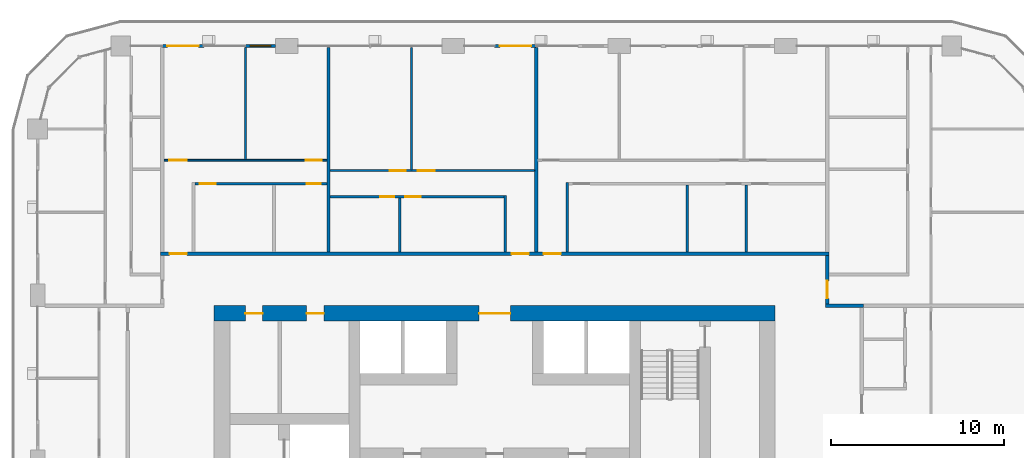
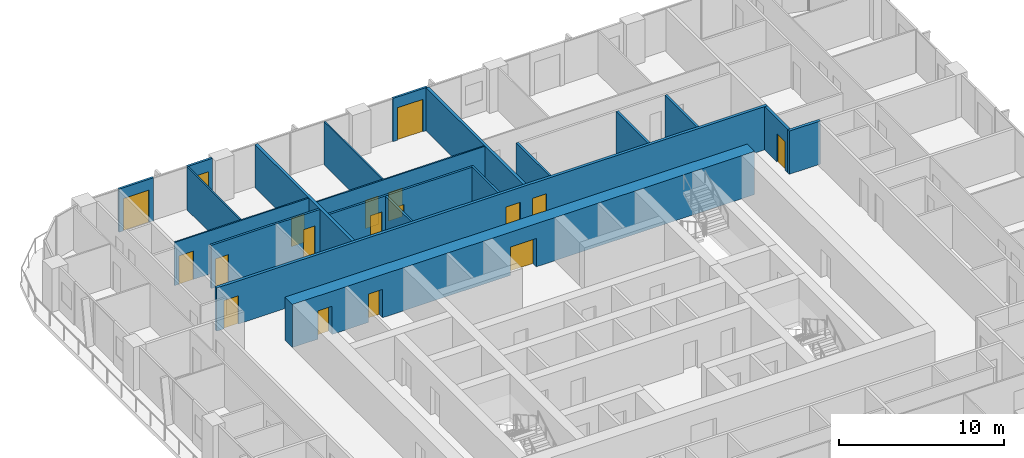
# One storey, part 14 of 22: 20 walls, 17 doors, 1 window, 18 openings.
"""IFC4 building model written with IfcOpenShell, lengths in metres."""

from ifc_helpers import new_model, si_unit, direction, frame, frame_2d, origin, place, context, subcontext, project, spatial, rectangle, extrude, material, layer, layer_set, type_object, element, fill, save


model = new_model("IFC4")

# Units and contexts
model_context = context("Model", 3, precision=1e-05, world=origin(), true_north=direction((0.0, 1.0)))
body_context = subcontext(model_context, "Body", "Model", "MODEL_VIEW")
ifc_project = project(units=[si_unit("LENGTHUNIT", "METRE"), si_unit("AREAUNIT", "SQUARE_METRE"), si_unit("VOLUMEUNIT", "CUBIC_METRE"), si_unit("PLANEANGLEUNIT", "RADIAN"), si_unit("MASSUNIT", "GRAM", prefix="KILO")], contexts=[model_context])

# Site, building, storey
site_placement = place(None, origin())
site = spatial("IfcSite", under=ifc_project, at=site_placement, CompositionType="ELEMENT")
building_placement = place(site_placement, origin())
building = spatial("IfcBuilding", under=site, at=building_placement, Name="Madar Terraces", CompositionType="ELEMENT")
storey_placement = place(building_placement, frame((0.0, 0.0, 99.699951171875)))
storey = spatial("IfcBuildingStorey", under=building, at=storey_placement, Name="L25", CompositionType="ELEMENT", Elevation=99.699951171875)

# Wall, openings, doors
ifc_material_1 = material(Name="Concrete C80/95", Category="concrete")
ifc_layer_1 = layer(ifc_material_1, 0.89990234375)
ifc_layer_set_1 = layer_set([ifc_layer_1], Name="Concrete C80/95 (CRW2 RC wall 900)")
wall_type_1 = type_object("IfcWallType", Name="CRW2 RC wall 900", PredefinedType="SHEAR", material=ifc_layer_set_1)
wall_1_placement = place(storey_placement, frame((15.0, 37.35009765625, 0.0), z_axis=(0.0, 0.0, 1.0), x_axis=(1.0, 0.0, 0.0)))
wall_1 = element("IfcWall", 1, at=wall_1_placement, inside=storey, type_object=wall_type_1, Name="CORE OUTER WALL", PredefinedType="SHEAR", context=body_context, shape_type="SweptSolid", body=[
    extrude(rectangle(XDim=32.39990234375, YDim=0.89990234375, at=frame_2d((16.199951171875, 0.0))), origin(), (0.0, 0.0, 1.0), 3.199951171875),
])
opening_1_placement = place(wall_1_placement, frame((15.300048828125, 0.0, 0.0)))
opening_1 = element("IfcOpeningElement", 2, at=opening_1_placement, cuts=wall_1, Name="Opening KD1", PredefinedType="OPENING", context=body_context, shape_type="SweptSolid", body=[
    extrude(rectangle(XDim=1.800048828125, YDim=2.10009765625, at=frame_2d((0.89990234375, 1.050048828125))), frame((0.0, 0.4599609375, 0.0), z_axis=(0.0, -1.0, 0.0), x_axis=(1.0, 0.0, 0.0)), (0.0, 0.0, 1.0), 0.919921875),
])
opening_2_placement = place(wall_1_placement, frame((1.793701171875, 0.0, 0.0)))
opening_2 = element("IfcOpeningElement", 3, at=opening_2_placement, cuts=wall_1, Name="Opening KD2", PredefinedType="OPENING", context=body_context, shape_type="SweptSolid", body=[
    extrude(rectangle(XDim=1.0, YDim=2.10009765625, at=frame_2d((0.5, 1.050048828125))), frame((0.0, 0.4599609375, 0.0), z_axis=(0.0, -1.0, 0.0), x_axis=(1.0, 0.0, 0.0)), (0.0, 0.0, 1.0), 0.919921875),
])
opening_3_placement = place(wall_1_placement, frame((5.331298828125, 0.0, 0.0)))
opening_3 = element("IfcOpeningElement", 4, at=opening_3_placement, cuts=wall_1, Name="Opening KD2", PredefinedType="OPENING", context=body_context, shape_type="SweptSolid", body=[
    extrude(rectangle(XDim=1.0, YDim=2.10009765625, at=frame_2d((0.5, 1.050048828125))), frame((0.0, 0.4599609375, 0.0), z_axis=(0.0, -1.0, 0.0), x_axis=(1.0, 0.0, 0.0)), (0.0, 0.0, 1.0), 0.919921875),
])
ifc_material_2 = material(Name="Steel door leaf", Category="steel")
door_type_1 = type_object("IfcDoorType", Name="Lobby door pair 1800 x 2100", OperationType="DOUBLE_DOOR_SINGLE_SWING", PredefinedType="DOOR", material=ifc_material_2)
door_1_placement = place(opening_1_placement, origin())
door_1 = element("IfcDoor", 5, at=door_1_placement, inside=storey, type_object=door_type_1, Name="LIFT LOBBY DOOR", OperationType="DOUBLE_DOOR_SINGLE_SWING", OverallHeight=2.10009765625, OverallWidth=1.800048828125, PredefinedType="DOOR", context=body_context, shape_type="SweptSolid", body=[
    extrude(rectangle(XDim=1.800048828125, YDim=2.10009765625, at=frame_2d((0.89990234375, 1.050048828125))), frame((0.0, 0.02490234375, 0.0), z_axis=(0.0, -1.0, 0.0), x_axis=(1.0, 0.0, 0.0)), (0.0, 0.0, 1.0), 0.050048828125),
])
fill(opening_1, door_1)
ifc_material_3 = material(Name="Steel door leaf", Category="steel")
door_type_2 = type_object("IfcDoorType", Name="Service room door 1000 x 2100", OperationType="NOTDEFINED", PredefinedType="DOOR", material=ifc_material_3)
door_2_placement = place(opening_2_placement, origin())
door_2 = element("IfcDoor", 6, at=door_2_placement, inside=storey, type_object=door_type_2, Name="SERVICE ROOM DOOR", OperationType="SINGLE_SWING_RIGHT", OverallHeight=2.10009765625, OverallWidth=1.0, PredefinedType="DOOR", context=body_context, shape_type="SweptSolid", body=[
    extrude(rectangle(XDim=1.0, YDim=2.10009765625, at=frame_2d((0.5, 1.050048828125))), frame((0.0, 0.02490234375, 0.0), z_axis=(0.0, -1.0, 0.0), x_axis=(1.0, 0.0, 0.0)), (0.0, 0.0, 1.0), 0.050048828125),
])
fill(opening_2, door_2)
door_3_placement = place(opening_3_placement, origin())
door_3 = element("IfcDoor", 7, at=door_3_placement, inside=storey, type_object=door_type_2, Name="SERVICE ROOM DOOR", OperationType="SINGLE_SWING_LEFT", OverallHeight=2.10009765625, OverallWidth=1.0, PredefinedType="DOOR", context=body_context, shape_type="SweptSolid", body=[
    extrude(rectangle(XDim=1.0, YDim=2.10009765625, at=frame_2d((0.5, 1.050048828125))), frame((0.0, 0.02490234375, 0.0), z_axis=(0.0, -1.0, 0.0), x_axis=(1.0, 0.0, 0.0)), (0.0, 0.0, 1.0), 0.050048828125),
])
fill(opening_3, door_3)

# Wall, opening, door
ifc_material_4 = material(Name="Aluminium composite panel, black, over insulated backing", Category="aluminium")
ifc_layer_2 = layer(ifc_material_4, 0.14990234375)
ifc_layer_set_2 = layer_set([ifc_layer_2], Name="Facade bay panel 150")
wall_type_2 = type_object("IfcWallType", Name="Facade bay panel 150", PredefinedType="SOLIDWALL", material=ifc_layer_set_2)
wall_2_placement = place(storey_placement, frame((33.60009765625, 52.800048828125, 0.0), z_axis=(0.0, 0.0, 1.0), x_axis=(-1.0, 0.0, 0.0)))
wall_2 = element("IfcWall", 8, at=wall_2_placement, inside=storey, type_object=wall_type_2, Name="Facade bay panel", PredefinedType="SOLIDWALL", context=body_context, shape_type="SweptSolid", body=[
    extrude(rectangle(XDim=2.400146484375, YDim=0.14990234375, at=frame_2d((1.2001953125, 0.0))), origin(), (0.0, 0.0, 1.0), 3.199951171875),
])
opening_4_placement = place(wall_2_placement, frame((0.300048828125, 0.0, 0.0)))
opening_4 = element("IfcOpeningElement", 9, at=opening_4_placement, cuts=wall_2, Name="Opening ED1", PredefinedType="OPENING", context=body_context, shape_type="SweptSolid", body=[
    extrude(rectangle(XDim=1.800048828125, YDim=2.39990234375, at=frame_2d((0.89990234375, 1.199951171875))), frame((0.0, 0.0849609375, 0.0), z_axis=(0.0, -1.0, 0.0), x_axis=(1.0, 0.0, 0.0)), (0.0, 0.0, 1.0), 0.169921875),
])
ifc_material_5 = material(Name="Glass, clear, with black aluminium frame", Category="aluminium")
door_type_3 = type_object("IfcDoorType", Name="Balcony and terrace sliding door 1800 x 2400", OperationType="SLIDING_TO_LEFT", PredefinedType="DOOR", material=ifc_material_5)
door_4_placement = place(opening_4_placement, origin())
door_4 = element("IfcDoor", 10, at=door_4_placement, inside=storey, type_object=door_type_3, Name="Balcony door", OperationType="SLIDING_TO_LEFT", OverallHeight=2.39990234375, OverallWidth=1.800048828125, PredefinedType="DOOR", context=body_context, shape_type="SweptSolid", body=[
    extrude(rectangle(XDim=1.800048828125, YDim=2.39990234375, at=frame_2d((0.89990234375, 1.199951171875))), frame((0.0, 0.02490234375, 0.0), z_axis=(0.0, -1.0, 0.0), x_axis=(1.0, 0.0, 0.0)), (0.0, 0.0, 1.0), 0.050048828125),
])
fill(opening_4, door_4)

# Wall, opening, window
wall_3_placement = place(storey_placement, frame((18.550048828125, 52.800048828125, 0.0), z_axis=(0.0, 0.0, 1.0), x_axis=(-1.0, 0.0, 0.0)))
wall_3 = element("IfcWall", 11, at=wall_3_placement, inside=storey, type_object=wall_type_2, Name="Facade bay panel", PredefinedType="SOLIDWALL", context=body_context, shape_type="SweptSolid", body=[
    extrude(rectangle(XDim=1.75, YDim=0.14990234375, at=frame_2d((0.875, 0.0))), origin(), (0.0, 0.0, 1.0), 3.199951171875),
])
opening_5_placement = place(wall_3_placement, frame((0.27490234375, 0.0, 0.89990234375)))
opening_5 = element("IfcOpeningElement", 12, at=opening_5_placement, cuts=wall_3, Name="Opening W1", PredefinedType="OPENING", context=body_context, shape_type="SweptSolid", body=[
    extrude(rectangle(XDim=1.199951171875, YDim=1.39990234375, at=frame_2d((0.60009765625, 0.699951171875))), frame((0.0, 0.0849609375, 0.0), z_axis=(0.0, -1.0, 0.0), x_axis=(1.0, 0.0, 0.0)), (0.0, 0.0, 1.0), 0.169921875),
])
ifc_material_6 = material(Name="Glass, clear, with black aluminium frame", Category="aluminium")
window_type = type_object("IfcWindowType", Name="Vent window 1200 x 1400", PartitioningType="SINGLE_PANEL", PredefinedType="WINDOW", material=ifc_material_6)
window_placement = place(opening_5_placement, origin())
window = element("IfcWindow", 13, at=window_placement, inside=storey, type_object=window_type, Name="Operable vent window", OverallHeight=1.39990234375, OverallWidth=1.199951171875, PartitioningType="SINGLE_PANEL", PredefinedType="WINDOW", context=body_context, shape_type="SweptSolid", body=[
    extrude(rectangle(XDim=1.199951171875, YDim=1.39990234375, at=frame_2d((0.60009765625, 0.699951171875))), frame((0.0, 0.030029296875, 0.0), z_axis=(0.0, -1.0, 0.0), x_axis=(1.0, 0.0, 0.0)), (0.0, 0.0, 1.0), 0.06005859375),
])
fill(opening_5, window)

# Wall, opening, door
wall_4_placement = place(storey_placement, frame((14.39990234375, 52.800048828125, 0.0), z_axis=(0.0, 0.0, 1.0), x_axis=(-1.0, 0.0, 0.0)))
wall_4 = element("IfcWall", 14, at=wall_4_placement, inside=storey, type_object=wall_type_2, Name="Facade bay panel", PredefinedType="SOLIDWALL", context=body_context, shape_type="SweptSolid", body=[
    extrude(rectangle(XDim=2.39990234375, YDim=0.14990234375, at=frame_2d((1.199951171875, 0.0))), origin(), (0.0, 0.0, 1.0), 3.199951171875),
])
opening_6_placement = place(wall_4_placement, frame((0.300048828125, 0.0, 0.0)))
opening_6 = element("IfcOpeningElement", 15, at=opening_6_placement, cuts=wall_4, Name="Opening ED1", PredefinedType="OPENING", context=body_context, shape_type="SweptSolid", body=[
    extrude(rectangle(XDim=1.800048828125, YDim=2.39990234375, at=frame_2d((0.89990234375, 1.199951171875))), frame((0.0, 0.0849609375, 0.0), z_axis=(0.0, -1.0, 0.0), x_axis=(1.0, 0.0, 0.0)), (0.0, 0.0, 1.0), 0.169921875),
])
door_5_placement = place(opening_6_placement, origin())
door_5 = element("IfcDoor", 16, at=door_5_placement, inside=storey, type_object=door_type_3, Name="Balcony door", OperationType="SLIDING_TO_RIGHT", OverallHeight=2.39990234375, OverallWidth=1.800048828125, PredefinedType="DOOR", context=body_context, shape_type="SweptSolid", body=[
    extrude(rectangle(XDim=1.800048828125, YDim=2.39990234375, at=frame_2d((0.89990234375, 1.199951171875))), frame((0.0, 0.02490234375, 0.0), z_axis=(0.0, -1.0, 0.0), x_axis=(1.0, 0.0, 0.0)), (0.0, 0.0, 1.0), 0.050048828125),
])
fill(opening_6, door_5)

# Wall
ifc_material_7 = material(Name="Gypsum board on steel studs", Category="steel")
ifc_layer_3 = layer(ifc_material_7, 0.10009765625)
ifc_layer_set_3 = layer_set([ifc_layer_3], Name="Flat partition 100")
wall_type_3 = type_object("IfcWallType", Name="Flat partition 100", PredefinedType="PARTITIONING", material=ifc_layer_set_3)
wall_5_placement = place(storey_placement, frame((26.39990234375, 45.64990234375, 0.0), z_axis=(0.0, 0.0, 1.0), x_axis=(0.0, 1.0, 0.0)))
element("IfcWall", 17, at=wall_5_placement, inside=storey, type_object=wall_type_3, Name="Flat partition 100", PredefinedType="PARTITIONING", context=body_context, shape_type="SweptSolid", body=[
    extrude(rectangle(XDim=7.050048828125, YDim=0.10009765625, at=frame_2d((3.52490234375, 0.0))), origin(), (0.0, 0.0, 1.0), 3.199951171875),
])

# Wall, openings, doors
wall_6_placement = place(storey_placement, frame((21.699951171875, 45.60009765625, 0.0), z_axis=(0.0, 0.0, 1.0), x_axis=(1.0, 0.0, 0.0)))
wall_6 = element("IfcWall", 18, at=wall_6_placement, inside=storey, type_object=wall_type_3, Name="Flat partition 100", PredefinedType="PARTITIONING", context=body_context, shape_type="SweptSolid", body=[
    extrude(rectangle(XDim=11.800048828125, YDim=0.10009765625, at=frame_2d((5.89990234375, 0.0))), origin(), (0.0, 0.0, 1.0), 3.199951171875),
])
opening_7_placement = place(wall_6_placement, frame((5.050048828125, 0.0, 0.0)))
opening_7 = element("IfcOpeningElement", 19, at=opening_7_placement, cuts=wall_6, Name="Opening D3", PredefinedType="OPENING", context=body_context, shape_type="SweptSolid", body=[
    extrude(rectangle(XDim=1.0, YDim=2.10009765625, at=frame_2d((0.5, 1.050048828125))), frame((0.0, 0.06005859375, 0.0), z_axis=(0.0, -1.0, 0.0), x_axis=(1.0, 0.0, 0.0)), (0.0, 0.0, 1.0), 0.1201171875),
])
opening_8_placement = place(wall_6_placement, frame((3.449951171875, 0.0, 0.0)))
opening_8 = element("IfcOpeningElement", 20, at=opening_8_placement, cuts=wall_6, Name="Opening D2", PredefinedType="OPENING", context=body_context, shape_type="SweptSolid", body=[
    extrude(rectangle(XDim=0.89990234375, YDim=2.10009765625, at=frame_2d((0.449951171875, 1.050048828125))), frame((0.0, 0.06005859375, 0.0), z_axis=(0.0, -1.0, 0.0), x_axis=(1.0, 0.0, 0.0)), (0.0, 0.0, 1.0), 0.1201171875),
])
ifc_material_8 = material(Name="Timber door leaf", Category="wood")
door_type_4 = type_object("IfcDoorType", Name="Flat living room door 1000", OperationType="NOTDEFINED", PredefinedType="DOOR", material=ifc_material_8)
door_6_placement = place(opening_7_placement, origin())
door_6 = element("IfcDoor", 21, at=door_6_placement, inside=storey, type_object=door_type_4, Name="Flat living room door 1000", OperationType="SINGLE_SWING_LEFT", OverallHeight=2.10009765625, OverallWidth=1.0, PredefinedType="DOOR", context=body_context, shape_type="SweptSolid", body=[
    extrude(rectangle(XDim=1.0, YDim=2.10009765625, at=frame_2d((0.5, 1.050048828125))), frame((0.0, 0.02490234375, 0.0), z_axis=(0.0, -1.0, 0.0), x_axis=(1.0, 0.0, 0.0)), (0.0, 0.0, 1.0), 0.050048828125),
])
fill(opening_7, door_6)
ifc_material_9 = material(Name="Timber door leaf", Category="wood")
door_type_5 = type_object("IfcDoorType", Name="Flat room door 900", OperationType="NOTDEFINED", PredefinedType="DOOR", material=ifc_material_9)
door_7_placement = place(opening_8_placement, origin())
door_7 = element("IfcDoor", 22, at=door_7_placement, inside=storey, type_object=door_type_5, Name="Flat room door 900", OperationType="SINGLE_SWING_RIGHT", OverallHeight=2.10009765625, OverallWidth=0.89990234375, PredefinedType="DOOR", context=body_context, shape_type="SweptSolid", body=[
    extrude(rectangle(XDim=0.89990234375, YDim=2.10009765625, at=frame_2d((0.449951171875, 1.050048828125))), frame((0.0, 0.02490234375, 0.0), z_axis=(0.0, -1.0, 0.0), x_axis=(1.0, 0.0, 0.0)), (0.0, 0.0, 1.0), 0.050048828125),
])
fill(opening_8, door_7)

# Wall
wall_7_placement = place(storey_placement, frame((16.800048828125, 46.25, 0.0), z_axis=(0.0, 0.0, 1.0), x_axis=(0.0, 1.0, 0.0)))
element("IfcWall", 23, at=wall_7_placement, inside=storey, type_object=wall_type_3, Name="Flat partition 100", PredefinedType="PARTITIONING", context=body_context, shape_type="SweptSolid", body=[
    extrude(rectangle(XDim=6.449951171875, YDim=0.10009765625, at=frame_2d((3.22509765625, 0.0))), origin(), (0.0, 0.0, 1.0), 3.199951171875),
])

# Wall, openings, doors
wall_8_placement = place(storey_placement, frame((12.10009765625, 46.199951171875, 0.0), z_axis=(0.0, 0.0, 1.0), x_axis=(1.0, 0.0, 0.0)))
wall_8 = element("IfcWall", 24, at=wall_8_placement, inside=storey, type_object=wall_type_3, Name="Flat partition 100", PredefinedType="PARTITIONING", context=body_context, shape_type="SweptSolid", body=[
    extrude(rectangle(XDim=9.39990234375, YDim=0.10009765625, at=frame_2d((4.699951171875, 0.0))), origin(), (0.0, 0.0, 1.0), 3.199951171875),
])
opening_9_placement = place(wall_8_placement, frame((0.300048828125, 0.0, 0.0)))
opening_9 = element("IfcOpeningElement", 25, at=opening_9_placement, cuts=wall_8, Name="Opening D3", PredefinedType="OPENING", context=body_context, shape_type="SweptSolid", body=[
    extrude(rectangle(XDim=1.0, YDim=2.10009765625, at=frame_2d((0.5, 1.050048828125))), frame((0.0, 0.06005859375, 0.0), z_axis=(0.0, -1.0, 0.0), x_axis=(1.0, 0.0, 0.0)), (0.0, 0.0, 1.0), 0.1201171875),
])
opening_10_placement = place(wall_8_placement, frame((8.199951171875, 0.0, 0.0)))
opening_10 = element("IfcOpeningElement", 26, at=opening_10_placement, cuts=wall_8, Name="Opening D2", PredefinedType="OPENING", context=body_context, shape_type="SweptSolid", body=[
    extrude(rectangle(XDim=0.89990234375, YDim=2.10009765625, at=frame_2d((0.449951171875, 1.050048828125))), frame((0.0, 0.06005859375, 0.0), z_axis=(0.0, -1.0, 0.0), x_axis=(1.0, 0.0, 0.0)), (0.0, 0.0, 1.0), 0.1201171875),
])
door_8_placement = place(opening_9_placement, origin())
door_8 = element("IfcDoor", 27, at=door_8_placement, inside=storey, type_object=door_type_4, Name="Flat living room door 1000", OperationType="SINGLE_SWING_LEFT", OverallHeight=2.10009765625, OverallWidth=1.0, PredefinedType="DOOR", context=body_context, shape_type="SweptSolid", body=[
    extrude(rectangle(XDim=1.0, YDim=2.10009765625, at=frame_2d((0.5, 1.050048828125))), frame((0.0, 0.02490234375, 0.0), z_axis=(0.0, -1.0, 0.0), x_axis=(1.0, 0.0, 0.0)), (0.0, 0.0, 1.0), 0.050048828125),
])
fill(opening_9, door_8)
door_9_placement = place(opening_10_placement, origin())
door_9 = element("IfcDoor", 28, at=door_9_placement, inside=storey, type_object=door_type_5, Name="Flat room door 900", OperationType="SINGLE_SWING_RIGHT", OverallHeight=2.10009765625, OverallWidth=0.89990234375, PredefinedType="DOOR", context=body_context, shape_type="SweptSolid", body=[
    extrude(rectangle(XDim=0.89990234375, YDim=2.10009765625, at=frame_2d((0.449951171875, 1.050048828125))), frame((0.0, 0.02490234375, 0.0), z_axis=(0.0, -1.0, 0.0), x_axis=(1.0, 0.0, 0.0)), (0.0, 0.0, 1.0), 0.050048828125),
])
fill(opening_10, door_9)

# Wall
ifc_material_10 = material(Name="Lightweight blockwork", Category="masonry")
ifc_layer_4 = layer(ifc_material_10, 0.199951171875)
ifc_layer_set_4 = layer_set([ifc_layer_4], Name="Flat party and entrance wall 200")
wall_type_4 = type_object("IfcWallType", Name="Flat party and entrance wall 200", PredefinedType="PARTITIONING", material=ifc_layer_set_4)
wall_9_placement = place(storey_placement, frame((52.5, 37.800048828125, 0.0), z_axis=(0.0, 0.0, 1.0), x_axis=(-1.0, 0.0, 0.0)))
element("IfcWall", 29, at=wall_9_placement, inside=storey, type_object=wall_type_4, Name="Flat party and entrance wall 200", PredefinedType="PARTITIONING", context=body_context, shape_type="SweptSolid", body=[
    extrude(rectangle(XDim=2.199951171875, YDim=0.199951171875, at=frame_2d((1.10009765625, 0.0))), origin(), (0.0, 0.0, 1.0), 3.199951171875),
])

# Wall, opening, door
wall_10_placement = place(storey_placement, frame((50.39990234375, 40.699951171875, 0.0), z_axis=(0.0, 0.0, 1.0), x_axis=(0.0, -1.0, 0.0)))
wall_10 = element("IfcWall", 30, at=wall_10_placement, inside=storey, type_object=wall_type_4, Name="Flat party and entrance wall 200", PredefinedType="PARTITIONING", context=body_context, shape_type="SweptSolid", body=[
    extrude(rectangle(XDim=2.800048828125, YDim=0.199951171875, at=frame_2d((1.39990234375, 0.0))), origin(), (0.0, 0.0, 1.0), 3.199951171875),
])
opening_11_placement = place(wall_10_placement, frame((1.47509765625, 0.0, 0.0)))
opening_11 = element("IfcOpeningElement", 31, at=opening_11_placement, cuts=wall_10, Name="Opening D1", PredefinedType="OPENING", context=body_context, shape_type="SweptSolid", body=[
    extrude(rectangle(XDim=1.0, YDim=2.10009765625, at=frame_2d((0.5, 1.050048828125))), frame((0.0, 0.10986328125, 0.0), z_axis=(0.0, -1.0, 0.0), x_axis=(1.0, 0.0, 0.0)), (0.0, 0.0, 1.0), 0.219970703125),
])
ifc_material_11 = material(Name="Timber fire door leaf", Category="wood")
door_type_6 = type_object("IfcDoorType", Name="Flat entrance door 1000 FD30S", OperationType="NOTDEFINED", PredefinedType="DOOR", material=ifc_material_11)
door_10_placement = place(opening_11_placement, origin())
door_10 = element("IfcDoor", 32, at=door_10_placement, inside=storey, type_object=door_type_6, Name="Flat entrance door 1000 FD30S", OperationType="SINGLE_SWING_RIGHT", OverallHeight=2.10009765625, OverallWidth=1.0, PredefinedType="DOOR", context=body_context, shape_type="SweptSolid", body=[
    extrude(rectangle(XDim=1.0, YDim=2.10009765625, at=frame_2d((0.5, 1.050048828125))), frame((0.0, 0.02490234375, 0.0), z_axis=(0.0, -1.0, 0.0), x_axis=(1.0, 0.0, 0.0)), (0.0, 0.0, 1.0), 0.050048828125),
])
fill(opening_11, door_10)

# Wall, openings, doors
wall_11_placement = place(storey_placement, frame((11.89990234375, 40.800048828125, 0.0), z_axis=(0.0, 0.0, 1.0), x_axis=(1.0, 0.0, 0.0)))
wall_11 = element("IfcWall", 33, at=wall_11_placement, inside=storey, type_object=wall_type_4, Name="Flat party and entrance wall 200", PredefinedType="PARTITIONING", context=body_context, shape_type="SweptSolid", body=[
    extrude(rectangle(XDim=38.60009765625, YDim=0.199951171875, at=frame_2d((19.300048828125, 0.0))), origin(), (0.0, 0.0, 1.0), 3.199951171875),
])
opening_12_placement = place(wall_11_placement, frame((22.125, 0.0, 0.0)))
opening_12 = element("IfcOpeningElement", 34, at=opening_12_placement, cuts=wall_11, Name="Opening D1", PredefinedType="OPENING", context=body_context, shape_type="SweptSolid", body=[
    extrude(rectangle(XDim=1.0, YDim=2.10009765625, at=frame_2d((0.5, 1.050048828125))), frame((0.0, 0.10986328125, 0.0), z_axis=(0.0, -1.0, 0.0), x_axis=(1.0, 0.0, 0.0)), (0.0, 0.0, 1.0), 0.219970703125),
])
opening_13_placement = place(wall_11_placement, frame((20.27490234375, 0.0, 0.0)))
opening_13 = element("IfcOpeningElement", 35, at=opening_13_placement, cuts=wall_11, Name="Opening D1", PredefinedType="OPENING", context=body_context, shape_type="SweptSolid", body=[
    extrude(rectangle(XDim=1.0, YDim=2.10009765625, at=frame_2d((0.5, 1.050048828125))), frame((0.0, 0.10986328125, 0.0), z_axis=(0.0, -1.0, 0.0), x_axis=(1.0, 0.0, 0.0)), (0.0, 0.0, 1.0), 0.219970703125),
])
opening_14_placement = place(wall_11_placement, frame((0.52490234375, 0.0, 0.0)))
opening_14 = element("IfcOpeningElement", 36, at=opening_14_placement, cuts=wall_11, Name="Opening D1", PredefinedType="OPENING", context=body_context, shape_type="SweptSolid", body=[
    extrude(rectangle(XDim=1.0, YDim=2.10009765625, at=frame_2d((0.5, 1.050048828125))), frame((0.0, 0.10986328125, 0.0), z_axis=(0.0, -1.0, 0.0), x_axis=(1.0, 0.0, 0.0)), (0.0, 0.0, 1.0), 0.219970703125),
])
door_11_placement = place(opening_12_placement, origin())
door_11 = element("IfcDoor", 37, at=door_11_placement, inside=storey, type_object=door_type_6, Name="Flat entrance door 1000 FD30S", OperationType="SINGLE_SWING_LEFT", OverallHeight=2.10009765625, OverallWidth=1.0, PredefinedType="DOOR", context=body_context, shape_type="SweptSolid", body=[
    extrude(rectangle(XDim=1.0, YDim=2.10009765625, at=frame_2d((0.5, 1.050048828125))), frame((0.0, 0.02490234375, 0.0), z_axis=(0.0, -1.0, 0.0), x_axis=(1.0, 0.0, 0.0)), (0.0, 0.0, 1.0), 0.050048828125),
])
fill(opening_12, door_11)
door_12_placement = place(opening_13_placement, origin())
door_12 = element("IfcDoor", 38, at=door_12_placement, inside=storey, type_object=door_type_6, Name="Flat entrance door 1000 FD30S", OperationType="SINGLE_SWING_RIGHT", OverallHeight=2.10009765625, OverallWidth=1.0, PredefinedType="DOOR", context=body_context, shape_type="SweptSolid", body=[
    extrude(rectangle(XDim=1.0, YDim=2.10009765625, at=frame_2d((0.5, 1.050048828125))), frame((0.0, 0.02490234375, 0.0), z_axis=(0.0, -1.0, 0.0), x_axis=(1.0, 0.0, 0.0)), (0.0, 0.0, 1.0), 0.050048828125),
])
fill(opening_13, door_12)
door_13_placement = place(opening_14_placement, origin())
door_13 = element("IfcDoor", 39, at=door_13_placement, inside=storey, type_object=door_type_6, Name="Flat entrance door 1000 FD30S", OperationType="SINGLE_SWING_LEFT", OverallHeight=2.10009765625, OverallWidth=1.0, PredefinedType="DOOR", context=body_context, shape_type="SweptSolid", body=[
    extrude(rectangle(XDim=1.0, YDim=2.10009765625, at=frame_2d((0.5, 1.050048828125))), frame((0.0, 0.02490234375, 0.0), z_axis=(0.0, -1.0, 0.0), x_axis=(1.0, 0.0, 0.0)), (0.0, 0.0, 1.0), 0.050048828125),
])
fill(opening_14, door_13)

# Walls
for number, where, z_axis, x_axis, name in (
    (40, (33.60009765625, 52.699951171875, 0.0), (0.0, 0.0, 1.0), (0.0, -1.0, 0.0), "Flat party and entrance wall 200"),
    (41, (21.60009765625, 52.699951171875, 0.0), (0.0, 0.0, 1.0), (0.0, -1.0, 0.0), "Flat party and entrance wall 200"),
):
    element("IfcWall", number, at=place(storey_placement, frame(where, z_axis=z_axis, x_axis=x_axis)), inside=storey, type_object=wall_type_4, Name=name, PredefinedType="PARTITIONING", context=body_context, shape_type="SweptSolid", body=[
        extrude(rectangle(XDim=11.800048828125, YDim=0.199951171875, at=frame_2d((5.89990234375, 0.0))), origin(), (0.0, 0.0, 1.0), 3.199951171875),
    ])
ifc_material_12 = material(Name="Lightweight blockwork", Category="masonry")
ifc_layer_5 = layer(ifc_material_12, 0.14990234375)
ifc_layer_set_5 = layer_set([ifc_layer_5], Name="Flat wet-room partition 150")
wall_type_5 = type_object("IfcWallType", Name="Flat wet-room partition 150", PredefinedType="PARTITIONING", material=ifc_layer_set_5)
for number, where, z_axis, x_axis, name in (
    (42, (42.3173828125, 40.89990234375, 0.0), (0.0, 0.0, 1.0), (0.0, 1.0, 0.0), "Flat wet-room partition 150"),
    (43, (45.738525390625, 40.89990234375, 0.0), (0.0, 0.0, 1.0), (0.0, 1.0, 0.0), "Flat wet-room partition 150"),
):
    element("IfcWall", number, at=place(storey_placement, frame(where, z_axis=z_axis, x_axis=x_axis)), inside=storey, type_object=wall_type_5, Name=name, PredefinedType="PARTITIONING", context=body_context, shape_type="SweptSolid", body=[
        extrude(rectangle(XDim=3.875, YDim=0.14990234375, at=frame_2d((1.9375, 0.0))), origin(), (0.0, 0.0, 1.0), 3.199951171875),
    ])
wall_12_placement = place(storey_placement, frame((35.39990234375, 40.89990234375, 0.0), z_axis=(0.0, 0.0, 1.0), x_axis=(0.0, 1.0, 0.0)))
element("IfcWall", 44, at=wall_12_placement, inside=storey, type_object=wall_type_5, Name="Flat wet-room partition 150", PredefinedType="PARTITIONING", context=body_context, shape_type="SweptSolid", body=[
    extrude(rectangle(XDim=4.025146484375, YDim=0.14990234375, at=frame_2d((2.0126953125, 0.0))), origin(), (0.0, 0.0, 1.0), 3.199951171875),
])
wall_13_placement = place(storey_placement, frame((25.7099609375, 40.89990234375, 0.0), z_axis=(0.0, 0.0, 1.0), x_axis=(0.0, 1.0, 0.0)))
element("IfcWall", 45, at=wall_13_placement, inside=storey, type_object=wall_type_5, Name="Flat wet-room partition 150", PredefinedType="PARTITIONING", context=body_context, shape_type="SweptSolid", body=[
    extrude(rectangle(XDim=3.125, YDim=0.14990234375, at=frame_2d((1.5625, 0.0))), origin(), (0.0, 0.0, 1.0), 3.199951171875),
])
wall_14_placement = place(storey_placement, frame((31.800048828125, 40.89990234375, 0.0), z_axis=(0.0, 0.0, 1.0), x_axis=(0.0, 1.0, 0.0)))
element("IfcWall", 46, at=wall_14_placement, inside=storey, type_object=wall_type_5, Name="Flat wet-room partition 150", PredefinedType="PARTITIONING", context=body_context, shape_type="SweptSolid", body=[
    extrude(rectangle(XDim=3.275146484375, YDim=0.14990234375, at=frame_2d((1.6376953125, 0.0))), origin(), (0.0, 0.0, 1.0), 3.199951171875),
])

# Wall, openings, doors
wall_15_placement = place(storey_placement, frame((31.72509765625, 44.10009765625, 0.0), z_axis=(0.0, 0.0, 1.0), x_axis=(-1.0, 0.0, 0.0)))
wall_15 = element("IfcWall", 47, at=wall_15_placement, inside=storey, type_object=wall_type_5, Name="Flat wet-room partition 150", PredefinedType="PARTITIONING", context=body_context, shape_type="SweptSolid", body=[
    extrude(rectangle(XDim=10.025146484375, YDim=0.14990234375, at=frame_2d((5.0126953125, 0.0))), origin(), (0.0, 0.0, 1.0), 3.199951171875),
])
opening_15_placement = place(wall_15_placement, frame((4.7900390625, 0.0, 0.0)))
opening_15 = element("IfcOpeningElement", 48, at=opening_15_placement, cuts=wall_15, Name="Opening D2", PredefinedType="OPENING", context=body_context, shape_type="SweptSolid", body=[
    extrude(rectangle(XDim=0.89990234375, YDim=2.10009765625, at=frame_2d((0.449951171875, 1.050048828125))), frame((0.0, 0.0849609375, 0.0), z_axis=(0.0, -1.0, 0.0), x_axis=(1.0, 0.0, 0.0)), (0.0, 0.0, 1.0), 0.169921875),
])
opening_16_placement = place(wall_15_placement, frame((6.340087890625, 0.0, 0.0)))
opening_16 = element("IfcOpeningElement", 49, at=opening_16_placement, cuts=wall_15, Name="Opening D4", PredefinedType="OPENING", context=body_context, shape_type="SweptSolid", body=[
    extrude(rectangle(XDim=0.800048828125, YDim=2.10009765625, at=frame_2d((0.39990234375, 1.050048828125))), frame((0.0, 0.0849609375, 0.0), z_axis=(0.0, -1.0, 0.0), x_axis=(1.0, 0.0, 0.0)), (0.0, 0.0, 1.0), 0.169921875),
])
ifc_material_13 = material(Name="Timber door leaf", Category="wood")
door_type_7 = type_object("IfcDoorType", Name="Flat bathroom door 800", OperationType="NOTDEFINED", PredefinedType="DOOR", material=ifc_material_13)
door_14_placement = place(opening_16_placement, origin())
door_14 = element("IfcDoor", 50, at=door_14_placement, inside=storey, type_object=door_type_7, Name="Flat bathroom door 800", OperationType="SINGLE_SWING_LEFT", OverallHeight=2.10009765625, OverallWidth=0.800048828125, PredefinedType="DOOR", context=body_context, shape_type="SweptSolid", body=[
    extrude(rectangle(XDim=0.800048828125, YDim=2.10009765625, at=frame_2d((0.39990234375, 1.050048828125))), frame((0.0, 0.02490234375, 0.0), z_axis=(0.0, -1.0, 0.0), x_axis=(1.0, 0.0, 0.0)), (0.0, 0.0, 1.0), 0.050048828125),
])
fill(opening_16, door_14)
door_15_placement = place(opening_15_placement, origin())
door_15 = element("IfcDoor", 51, at=door_15_placement, inside=storey, type_object=door_type_5, Name="Flat room door 900", OperationType="SINGLE_SWING_RIGHT", OverallHeight=2.10009765625, OverallWidth=0.89990234375, PredefinedType="DOOR", context=body_context, shape_type="SweptSolid", body=[
    extrude(rectangle(XDim=0.89990234375, YDim=2.10009765625, at=frame_2d((0.449951171875, 1.050048828125))), frame((0.0, 0.02490234375, 0.0), z_axis=(0.0, -1.0, 0.0), x_axis=(1.0, 0.0, 0.0)), (0.0, 0.0, 1.0), 0.050048828125),
])
fill(opening_15, door_15)

wall_16_placement = place(storey_placement, frame((21.5, 44.85009765625, 0.0), z_axis=(0.0, 0.0, 1.0), x_axis=(-1.0, 0.0, 0.0)))
wall_16 = element("IfcWall", 52, at=wall_16_placement, inside=storey, type_object=wall_type_5, Name="Flat wet-room partition 150", PredefinedType="PARTITIONING", context=body_context, shape_type="SweptSolid", body=[
    extrude(rectangle(XDim=7.625, YDim=0.14990234375, at=frame_2d((3.8125, 0.0))), origin(), (0.0, 0.0, 1.0), 3.199951171875),
])
opening_17_placement = place(wall_16_placement, frame((6.425048828125, 0.0, 0.0)))
opening_17 = element("IfcOpeningElement", 53, at=opening_17_placement, cuts=wall_16, Name="Opening D2", PredefinedType="OPENING", context=body_context, shape_type="SweptSolid", body=[
    extrude(rectangle(XDim=0.89990234375, YDim=2.10009765625, at=frame_2d((0.449951171875, 1.050048828125))), frame((0.0, 0.0849609375, 0.0), z_axis=(0.0, -1.0, 0.0), x_axis=(1.0, 0.0, 0.0)), (0.0, 0.0, 1.0), 0.169921875),
])
opening_18_placement = place(wall_16_placement, frame((0.35009765625, 0.0, 0.0)))
opening_18 = element("IfcOpeningElement", 54, at=opening_18_placement, cuts=wall_16, Name="Opening D4", PredefinedType="OPENING", context=body_context, shape_type="SweptSolid", body=[
    extrude(rectangle(XDim=0.800048828125, YDim=2.10009765625, at=frame_2d((0.39990234375, 1.050048828125))), frame((0.0, 0.0849609375, 0.0), z_axis=(0.0, -1.0, 0.0), x_axis=(1.0, 0.0, 0.0)), (0.0, 0.0, 1.0), 0.169921875),
])
door_16_placement = place(opening_18_placement, origin())
door_16 = element("IfcDoor", 55, at=door_16_placement, inside=storey, type_object=door_type_7, Name="Flat bathroom door 800", OperationType="SINGLE_SWING_LEFT", OverallHeight=2.10009765625, OverallWidth=0.800048828125, PredefinedType="DOOR", context=body_context, shape_type="SweptSolid", body=[
    extrude(rectangle(XDim=0.800048828125, YDim=2.10009765625, at=frame_2d((0.39990234375, 1.050048828125))), frame((0.0, 0.02490234375, 0.0), z_axis=(0.0, -1.0, 0.0), x_axis=(1.0, 0.0, 0.0)), (0.0, 0.0, 1.0), 0.050048828125),
])
fill(opening_18, door_16)
door_17_placement = place(opening_17_placement, origin())
door_17 = element("IfcDoor", 56, at=door_17_placement, inside=storey, type_object=door_type_5, Name="Flat room door 900", OperationType="SINGLE_SWING_RIGHT", OverallHeight=2.10009765625, OverallWidth=0.89990234375, PredefinedType="DOOR", context=body_context, shape_type="SweptSolid", body=[
    extrude(rectangle(XDim=0.89990234375, YDim=2.10009765625, at=frame_2d((0.449951171875, 1.050048828125))), frame((0.0, 0.02490234375, 0.0), z_axis=(0.0, -1.0, 0.0), x_axis=(1.0, 0.0, 0.0)), (0.0, 0.0, 1.0), 0.050048828125),
])
fill(opening_17, door_17)

save(model, "model.ifc")
